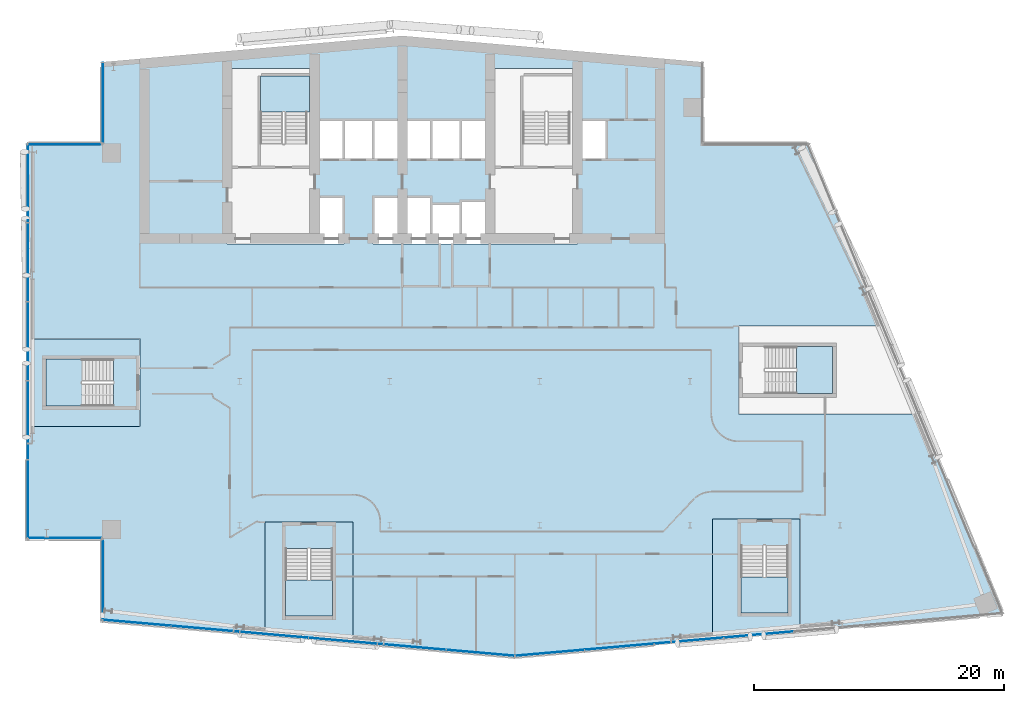
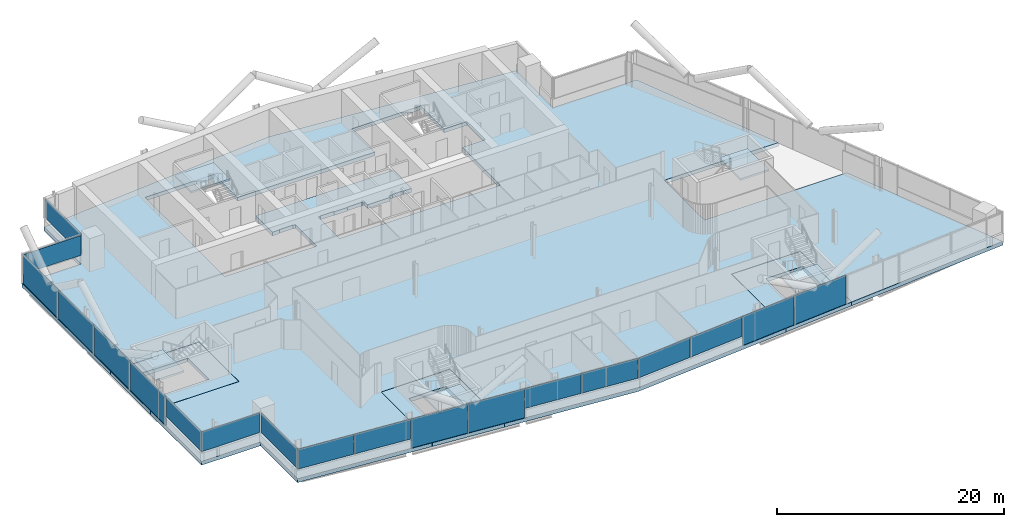
# One storey, part 12 of 27: 19 plates, 9 slabs, 12 elements without a shape of their own.
"""IFC4 building model written with IfcOpenShell, lengths in metres."""

from ifc_helpers import new_model, si_unit, direction, frame, origin, origin_2d, place, context, subcontext, project, spatial, polyline, rectangle, outline, extrude, material, layer, layer_set, type_object, element, aggregate, save


model = new_model("IFC4")

# Units and contexts
model_context = context("Model", 3, precision=1e-05, world=origin(), true_north=direction((0.0, 1.0)))
body_context = subcontext(model_context, "Body", "Model", "MODEL_VIEW")
ifc_project = project(units=[si_unit("LENGTHUNIT", "METRE"), si_unit("AREAUNIT", "SQUARE_METRE"), si_unit("VOLUMEUNIT", "CUBIC_METRE"), si_unit("PLANEANGLEUNIT", "RADIAN"), si_unit("MASSUNIT", "GRAM", prefix="KILO")], contexts=[model_context])

# Site, building, storey
site_placement = place(None, origin())
site = spatial("IfcSite", under=ifc_project, at=site_placement, CompositionType="ELEMENT")
building_placement = place(site_placement, origin())
building = spatial("IfcBuilding", under=site, at=building_placement, Name="Wharfspan Tower", CompositionType="ELEMENT")
storey_placement = place(building_placement, frame((0.0, 0.0, 159.100098)))
storey = spatial("IfcBuildingStorey", under=building, at=storey_placement, Name="L38", CompositionType="ELEMENT", Elevation=159.100098)

# Curtain wall, plates
ifc_material_1 = material(Name="Aluminium 6063-T6", Category="aluminium")
curtain_wall_type_1 = type_object("IfcCurtainWallType", Name="CURTAIN WALL FACETED FRONT", PredefinedType="NOTDEFINED", material=ifc_material_1)
curtain_wall_1_placement = place(storey_placement, origin())
curtain_wall_1 = element("IfcCurtainWall", 1, at=curtain_wall_1_placement, inside=storey, type_object=curtain_wall_type_1, Name="Curtain wall S1", PredefinedType="NOTDEFINED")
ifc_material_2 = material(Name="Glass clear low-iron double glazing", Category="glass")
ifc_layer_1 = layer(ifc_material_2, 0.040039)
ifc_layer_set_1 = layer_set([ifc_layer_1], Name="Glass clear low-iron double glazing")
plate_type_1 = type_object("IfcPlateType", Name="GLASS PANEL FACETED FRONT 40", PredefinedType="CURTAIN_PANEL", material=ifc_layer_set_1)
plate_1_placement = place(storey_placement, frame((15.770264, 3.692871, 0.999756), z_axis=(0.0, 0.0, 1.0), x_axis=(0.996198, -0.087156, 0.0)))
plate_1 = element("IfcPlate", 2, at=plate_1_placement, type_object=plate_type_1, Name="Curtain wall S1 panel 1", PredefinedType="CURTAIN_PANEL", context=body_context, shape_type="SweptSolid", body=[
    extrude(rectangle(XDim=5.430908, YDim=0.040039, at=origin_2d()), origin(), (0.0, 0.0, 1.0), 2.120117),
])
plate_2_placement = place(storey_placement, frame((21.255127, 3.213135, 0.999756), z_axis=(0.0, 0.0, 1.0), x_axis=(0.996198, -0.087156, 0.0)))
plate_2 = element("IfcPlate", 3, at=plate_2_placement, type_object=plate_type_1, Name="Curtain wall S1 panel 2", PredefinedType="CURTAIN_PANEL", context=body_context, shape_type="SweptSolid", body=[
    extrude(rectangle(XDim=5.460938, YDim=0.040039, at=origin_2d()), origin(), (0.0, 0.0, 1.0), 2.120117),
])
plate_3_placement = place(storey_placement, frame((37.755127, 1.769531, 0.999756), z_axis=(0.0, 0.0, 1.0), x_axis=(0.996198, -0.087156, 0.0)))
plate_3 = element("IfcPlate", 4, at=plate_3_placement, type_object=plate_type_1, Name="Curtain wall S1 panel 5", PredefinedType="CURTAIN_PANEL", context=body_context, shape_type="SweptSolid", body=[
    extrude(rectangle(XDim=5.460938, YDim=0.040039, at=origin_2d()), origin(), (0.0, 0.0, 1.0), 2.120117),
])
plate_4_placement = place(storey_placement, frame((43.240234, 1.289551, 0.999756), z_axis=(0.0, 0.0, 1.0), x_axis=(0.996198, -0.087156, 0.0)))
plate_4 = element("IfcPlate", 5, at=plate_4_placement, type_object=plate_type_1, Name="Curtain wall S1 panel 6", PredefinedType="CURTAIN_PANEL", context=body_context, shape_type="SweptSolid", body=[
    extrude(rectangle(XDim=5.430908, YDim=0.040039, at=origin_2d()), origin(), (0.0, 0.0, 1.0), 2.120117),
])

curtain_wall_2_placement = place(storey_placement, origin())
curtain_wall_2 = element("IfcCurtainWall", 6, at=curtain_wall_2_placement, inside=storey, type_object=curtain_wall_type_1, Name="Curtain wall S2", PredefinedType="NOTDEFINED")
plate_5_placement = place(storey_placement, frame((48.79541, 1.292725, 0.999756), z_axis=(0.0, 0.0, 1.0), x_axis=(0.996198, 0.087156, 0.0)))
plate_5 = element("IfcPlate", 7, at=plate_5_placement, type_object=plate_type_1, Name="Curtain wall S2 panel 1", PredefinedType="CURTAIN_PANEL", context=body_context, shape_type="SweptSolid", body=[
    extrude(rectangle(XDim=5.502686, YDim=0.040039, at=origin_2d()), origin(), (0.0, 0.0, 1.0), 2.120117),
])
plate_6_placement = place(storey_placement, frame((54.351807, 1.778809, 0.999756), z_axis=(0.0, 0.0, 1.0), x_axis=(0.996198, 0.087156, 0.0)))
plate_6 = element("IfcPlate", 8, at=plate_6_placement, type_object=plate_type_1, Name="Curtain wall S2 panel 2", PredefinedType="CURTAIN_PANEL", context=body_context, shape_type="SweptSolid", body=[
    extrude(rectangle(XDim=5.532715, YDim=0.040039, at=origin_2d()), origin(), (0.0, 0.0, 1.0), 2.120117),
])

# Curtain wall, plate
curtain_wall_type_2 = type_object("IfcCurtainWallType", Name="CURTAIN WALL PROW AND END", PredefinedType="NOTDEFINED", material=ifc_material_1)
curtain_wall_3_placement = place(storey_placement, origin())
curtain_wall_3 = element("IfcCurtainWall", 9, at=curtain_wall_3_placement, inside=storey, type_object=curtain_wall_type_2, Name="Curtain wall NRW-V", PredefinedType="NOTDEFINED")
ifc_layer_2 = layer(ifc_material_2, 0.040039)
ifc_layer_set_2 = layer_set([ifc_layer_2], Name="Glass clear low-iron double glazing")
plate_type_2 = type_object("IfcPlateType", Name="GLASS PANEL PROW AND END 40", PredefinedType="CURTAIN_PANEL", material=ifc_layer_set_2)
plate_7_placement = place(storey_placement, frame((13.080078, 45.262451, 0.999756), z_axis=(0.0, 0.0, 1.0), x_axis=(0.0, -1.0, 0.0)))
plate_7 = element("IfcPlate", 10, at=plate_7_placement, type_object=plate_type_2, Name="Curtain wall NRW-V panel 1", PredefinedType="CURTAIN_PANEL", context=body_context, shape_type="SweptSolid", body=[
    extrude(rectangle(XDim=6.405029, YDim=0.040039, at=origin_2d()), origin(), (0.0, 0.0, 1.0), 2.120117),
])
aggregate(curtain_wall_3, [plate_7])

curtain_wall_4_placement = place(storey_placement, origin())
curtain_wall_4 = element("IfcCurtainWall", 11, at=curtain_wall_4_placement, inside=storey, type_object=curtain_wall_type_2, Name="Curtain wall NRW-H", PredefinedType="NOTDEFINED")
plate_8_placement = place(storey_placement, frame((10.0, 41.919922, 0.999756), z_axis=(0.0, 0.0, 1.0), x_axis=(-1.0, 0.0, 0.0)))
plate_8 = element("IfcPlate", 12, at=plate_8_placement, type_object=plate_type_2, Name="Curtain wall NRW-H panel 1", PredefinedType="CURTAIN_PANEL", context=body_context, shape_type="SweptSolid", body=[
    extrude(rectangle(XDim=5.879883, YDim=0.040039, at=origin_2d()), origin(), (0.0, 0.0, 1.0), 2.120117),
])
aggregate(curtain_wall_4, [plate_8])

curtain_wall_5_placement = place(storey_placement, origin())
curtain_wall_5 = element("IfcCurtainWall", 13, at=curtain_wall_5_placement, inside=storey, type_object=curtain_wall_type_2, Name="Curtain wall W", PredefinedType="NOTDEFINED")
plate_9_placement = place(storey_placement, frame((7.080078, 13.574951, 0.999756), z_axis=(0.0, 0.0, 1.0), x_axis=(0.0, -1.0, 0.0)))
plate_9 = element("IfcPlate", 14, at=plate_9_placement, type_object=plate_type_2, Name="Curtain wall W panel 5", PredefinedType="CURTAIN_PANEL", context=body_context, shape_type="SweptSolid", body=[
    extrude(rectangle(XDim=6.22998, YDim=0.040039, at=origin_2d()), origin(), (0.0, 0.0, 1.0), 2.120117),
])

curtain_wall_6_placement = place(storey_placement, origin())
curtain_wall_6 = element("IfcCurtainWall", 15, at=curtain_wall_6_placement, inside=storey, type_object=curtain_wall_type_2, Name="Curtain wall NFW-H", PredefinedType="NOTDEFINED")
plate_10_placement = place(storey_placement, frame((10.0, 10.47998, 0.999756), z_axis=(0.0, 0.0, 1.0), x_axis=(1.0, 0.0, 0.0)))
plate_10 = element("IfcPlate", 16, at=plate_10_placement, type_object=plate_type_2, Name="Curtain wall NFW-H panel 1", PredefinedType="CURTAIN_PANEL", context=body_context, shape_type="SweptSolid", body=[
    extrude(rectangle(XDim=5.879883, YDim=0.040039, at=origin_2d()), origin(), (0.0, 0.0, 1.0), 2.120117),
])
aggregate(curtain_wall_6, [plate_10])

curtain_wall_7_placement = place(storey_placement, origin())
curtain_wall_7 = element("IfcCurtainWall", 17, at=curtain_wall_7_placement, inside=storey, type_object=curtain_wall_type_2, Name="Curtain wall NFW-V", PredefinedType="NOTDEFINED")
plate_11_placement = place(storey_placement, frame((13.080078, 7.137451, 0.999756), z_axis=(0.0, 0.0, 1.0), x_axis=(0.0, -1.0, 0.0)))
plate_11 = element("IfcPlate", 18, at=plate_11_placement, type_object=plate_type_2, Name="Curtain wall NFW-V panel 1", PredefinedType="CURTAIN_PANEL", context=body_context, shape_type="SweptSolid", body=[
    extrude(rectangle(XDim=6.405029, YDim=0.040039, at=origin_2d()), origin(), (0.0, 0.0, 1.0), 2.120117),
])
aggregate(curtain_wall_7, [plate_11])

# Plate
ifc_material_3 = material(Name="Aluminium composite opaque insulated panel", Category="aluminium")
ifc_layer_3 = layer(ifc_material_3, 0.040039)
ifc_layer_set_3 = layer_set([ifc_layer_3], Name="Aluminium composite opaque insulated panel")
plate_type_3 = type_object("IfcPlateType", Name="INFILL PANEL FACETED FRONT OPAQUE 40", PredefinedType="SHEET", material=ifc_layer_set_3)
plate_12_placement = place(storey_placement, frame((26.755127, 2.731934, -0.000244), z_axis=(0.0, 0.0, 1.0), x_axis=(0.996198, -0.087156, 0.0)))
plate_12 = element("IfcPlate", 19, at=plate_12_placement, type_object=plate_type_3, Name="Curtain wall S1 panel 3", PredefinedType="SHEET", context=body_context, shape_type="SweptSolid", body=[
    extrude(rectangle(XDim=5.460938, YDim=0.040039, at=origin_2d()), origin(), (0.0, 0.0, 1.0), 3.120117),
])

plate_13_placement = place(storey_placement, frame((32.255127, 2.250732, -0.000244), z_axis=(0.0, 0.0, 1.0), x_axis=(0.996198, -0.087156, 0.0)))
plate_13 = element("IfcPlate", 20, at=plate_13_placement, type_object=plate_type_3, Name="Curtain wall S1 panel 4", PredefinedType="SHEET", context=body_context, shape_type="SweptSolid", body=[
    extrude(rectangle(XDim=5.460938, YDim=0.040039, at=origin_2d()), origin(), (0.0, 0.0, 1.0), 3.120117),
])

aggregate(curtain_wall_1, [plate_1, plate_2, plate_12, plate_13, plate_3, plate_4])

plate_14_placement = place(storey_placement, frame((59.92334, 2.266357, -0.000244), z_axis=(0.0, 0.0, 1.0), x_axis=(0.996198, 0.087156, 0.0)))
plate_14 = element("IfcPlate", 21, at=plate_14_placement, type_object=plate_type_3, Name="Curtain wall S2 panel 3", PredefinedType="SHEET", context=body_context, shape_type="SweptSolid", body=[
    extrude(rectangle(XDim=5.532715, YDim=0.040039, at=origin_2d()), origin(), (0.0, 0.0, 1.0), 3.120117),
])

plate_15_placement = place(storey_placement, frame((65.494873, 2.753662, -0.000244), z_axis=(0.0, 0.0, 1.0), x_axis=(0.996198, 0.087156, 0.0)))
plate_15 = element("IfcPlate", 22, at=plate_15_placement, type_object=plate_type_3, Name="Curtain wall S2 panel 4", PredefinedType="SHEET", context=body_context, shape_type="SweptSolid", body=[
    extrude(rectangle(XDim=5.532715, YDim=0.040039, at=origin_2d()), origin(), (0.0, 0.0, 1.0), 3.120117),
])

aggregate(curtain_wall_2, [plate_5, plate_6, plate_14, plate_15])

ifc_layer_4 = layer(ifc_material_3, 0.040039)
ifc_layer_set_4 = layer_set([ifc_layer_4], Name="Aluminium composite opaque insulated panel")
plate_type_4 = type_object("IfcPlateType", Name="INFILL PANEL PROW AND END OPAQUE 40", PredefinedType="SHEET", material=ifc_layer_set_4)
plate_16_placement = place(storey_placement, frame((7.080078, 38.824951, -0.000244), z_axis=(0.0, 0.0, 1.0), x_axis=(0.0, -1.0, 0.0)))
plate_16 = element("IfcPlate", 23, at=plate_16_placement, type_object=plate_type_4, Name="Curtain wall W panel 1", PredefinedType="SHEET", context=body_context, shape_type="SweptSolid", body=[
    extrude(rectangle(XDim=6.22998, YDim=0.040039, at=origin_2d()), origin(), (0.0, 0.0, 1.0), 3.120117),
])

plate_17_placement = place(storey_placement, frame((7.080078, 32.52002, -0.000244), z_axis=(0.0, 0.0, 1.0), x_axis=(0.0, -1.0, 0.0)))
plate_17 = element("IfcPlate", 24, at=plate_17_placement, type_object=plate_type_4, Name="Curtain wall W panel 2", PredefinedType="SHEET", context=body_context, shape_type="SweptSolid", body=[
    extrude(rectangle(XDim=6.26001, YDim=0.040039, at=origin_2d()), origin(), (0.0, 0.0, 1.0), 3.120117),
])

plate_18_placement = place(storey_placement, frame((7.080078, 26.199951, -0.000244), z_axis=(0.0, 0.0, 1.0), x_axis=(0.0, -1.0, 0.0)))
plate_18 = element("IfcPlate", 25, at=plate_18_placement, type_object=plate_type_4, Name="Curtain wall W panel 3", PredefinedType="SHEET", context=body_context, shape_type="SweptSolid", body=[
    extrude(rectangle(XDim=6.26001, YDim=0.040039, at=origin_2d()), origin(), (0.0, 0.0, 1.0), 3.120117),
])

plate_19_placement = place(storey_placement, frame((7.080078, 19.879883, -0.000244), z_axis=(0.0, 0.0, 1.0), x_axis=(0.0, -1.0, 0.0)))
plate_19 = element("IfcPlate", 26, at=plate_19_placement, type_object=plate_type_4, Name="Curtain wall W panel 4", PredefinedType="SHEET", context=body_context, shape_type="SweptSolid", body=[
    extrude(rectangle(XDim=6.26001, YDim=0.040039, at=origin_2d()), origin(), (0.0, 0.0, 1.0), 3.120117),
])

aggregate(curtain_wall_5, [plate_16, plate_17, plate_18, plate_19, plate_9])

# Slabs
ifc_material_4 = material(Name="Concrete C40/50", Category="concrete")
ifc_layer_5 = layer(ifc_material_4, 0.399902)
ifc_layer_set_5 = layer_set([ifc_layer_5], Name="Concrete C40/50")
slab_type_1 = type_object("IfcSlabType", Name="Post-tensioned flat slab 400", PredefinedType="FLOOR", material=ifc_layer_set_5)
slab_1_placement = place(storey_placement, frame((0.0, 0.0, -0.400146)))
element("IfcSlab", 27, at=slab_1_placement, inside=storey, type_object=slab_type_1, Name="Floor slab L38", PredefinedType="FLOOR", context=body_context, shape_type="SweptSolid", body=[
    extrude(outline(polyline([(26.029297, 2.735107), (26.029297, 11.744385), (33.049316, 11.744385), (33.049316, 2.121094), (46.0, 0.987793), (61.801514, 2.370361), (61.801514, 11.993652), (68.821289, 11.993652), (68.821289, 2.984619), (85.0, 4.399902), (78.398682, 20.389893), (63.894531, 20.389893), (63.894531, 27.409912), (75.500488, 27.409912), (69.477051, 42.0), (61.0, 42.0), (61.0, 48.524902), (37.0, 50.624756), (13.0, 48.524902), (13.0, 42.0), (7.0, 42.0), (7.0, 26.409912), (16.01001, 26.409912), (16.01001, 19.389893), (7.0, 19.389893), (7.0, 10.399902), (13.0, 10.399902), (13.0, 3.875), (26.029297, 2.735107)]), holes=[polyline([(32.126709, 37.76001), (32.343262, 37.76001), (32.343262, 33.98999), (22.98999, 33.98999), (22.98999, 48.01001), (30.01001, 48.01001), (30.01001, 43.909912), (43.98999, 43.909912), (43.98999, 48.01001), (51.01001, 48.01001), (51.01001, 43.909912), (53.343262, 43.909912), (53.343262, 40.689941), (51.01001, 40.689941), (51.01001, 33.98999), (34.656738, 33.98999), (34.656738, 37.76001), (34.873291, 37.76001), (34.873291, 37.810059), (36.293213, 37.810059), (36.293213, 37.76001), (37.666748, 37.76001), (37.666748, 37.810059), (39.166748, 37.810059), (39.166748, 37.76001), (39.343262, 37.76001), (39.343262, 37.209961), (41.656738, 37.209961), (41.656738, 37.459961), (42.023193, 37.459961), (42.023193, 37.51001), (43.143311, 37.51001), (43.143311, 37.459961), (43.98999, 37.459961), (43.98999, 40.689941), (30.01001, 40.689941), (30.01001, 37.76001), (30.706787, 37.76001), (30.706787, 37.810059), (32.126709, 37.810059), (32.126709, 37.76001)])]), origin(), (0.0, 0.0, 1.0), 0.400146),
])
slab_2_placement = place(storey_placement, frame((0.0, 0.0, -0.400146)))
element("IfcSlab", 28, at=slab_2_placement, inside=storey, type_object=slab_type_1, Name="Core floor slab L38 part 1", PredefinedType="FLOOR", context=body_context, shape_type="SweptSolid", body=[
    extrude(outline(polyline([(16.0, 20.725098), (16.0, 25.074951), (16.0, 26.399902), (7.0, 26.399902), (7.0, 19.399902), (16.0, 19.399902), (16.0, 20.725098)]), holes=[polyline([(13.899902, 24.7771), (13.900146, 24.7771), (13.900391, 24.7771), (13.900635, 24.776855), (13.900879, 24.776855), (13.900879, 24.776855), (13.901123, 24.776611), (13.901367, 24.776611), (13.901367, 24.776367), (13.901611, 24.776367), (13.901611, 24.776123), (13.901855, 24.775879), (13.901855, 24.775879), (13.901855, 24.775635), (13.9021, 24.775391), (13.9021, 24.775146), (13.9021, 24.774902), (13.9021, 21.024902), (13.9021, 21.024902), (13.9021, 21.024658), (13.901855, 21.024414), (13.901855, 21.02417), (13.901855, 21.02417), (13.901611, 21.023926), (13.901611, 21.023682), (13.901367, 21.023682), (13.901367, 21.023438), (13.901123, 21.023193), (13.900879, 21.023193), (13.900879, 21.023193), (13.900635, 21.023193), (13.900391, 21.022949), (13.900146, 21.022949), (13.899902, 21.022949), (8.5, 21.022949), (8.499756, 21.022949), (8.499512, 21.022949), (8.499512, 21.023193), (8.499268, 21.023193), (8.499023, 21.023193), (8.498779, 21.023193), (8.498779, 21.023438), (8.498535, 21.023682), (8.498535, 21.023682), (8.498291, 21.023926), (8.498291, 21.02417), (8.498291, 21.02417), (8.498047, 21.024414), (8.498047, 21.024658), (8.498047, 21.024902), (8.498047, 21.024902), (8.498047, 24.774902), (8.498047, 24.775146), (8.498047, 24.775391), (8.498047, 24.775635), (8.498291, 24.775879), (8.498291, 24.775879), (8.498291, 24.776123), (8.498535, 24.776367), (8.498535, 24.776367), (8.498779, 24.776611), (8.498779, 24.776611), (8.499023, 24.776855), (8.499268, 24.776855), (8.499512, 24.776855), (8.499512, 24.7771), (8.499756, 24.7771), (8.5, 24.7771), (13.899902, 24.7771)])]), origin(), (0.0, 0.0, 1.0), 0.400146),
])
slab_3_placement = place(storey_placement, frame((0.0, 0.0, -0.400146)))
element("IfcSlab", 29, at=slab_3_placement, inside=storey, type_object=slab_type_1, Name="Core floor slab L38 part 2", PredefinedType="FLOOR", context=body_context, shape_type="SweptSolid", body=[
    extrude(outline(polyline([(31.714111, 11.734375), (27.364258, 11.734375), (26.039307, 11.734375), (26.039307, 2.734375), (33.039307, 2.121826), (33.039307, 11.734375), (31.714111, 11.734375)]), holes=[polyline([(27.662109, 9.634277), (27.662109, 9.634521), (27.662354, 9.634766), (27.662354, 9.63501), (27.662354, 9.63501), (27.662598, 9.635254), (27.662598, 9.635498), (27.662598, 9.635498), (27.662842, 9.635742), (27.663086, 9.635742), (27.663086, 9.635986), (27.66333, 9.635986), (27.663574, 9.635986), (27.663574, 9.63623), (27.663818, 9.63623), (27.664062, 9.63623), (27.664307, 9.63623), (31.414307, 9.63623), (31.414307, 9.63623), (31.414551, 9.63623), (31.414795, 9.63623), (31.415039, 9.635986), (31.415283, 9.635986), (31.415283, 9.635986), (31.415527, 9.635742), (31.415527, 9.635742), (31.415771, 9.635498), (31.416016, 9.635498), (31.416016, 9.635254), (31.416016, 9.63501), (31.416016, 9.63501), (31.41626, 9.634766), (31.41626, 9.634521), (31.41626, 9.634277), (31.41626, 4.234375), (31.41626, 4.234131), (31.41626, 4.233887), (31.416016, 4.233643), (31.416016, 4.233398), (31.416016, 4.233398), (31.416016, 4.233154), (31.415771, 4.23291), (31.415527, 4.23291), (31.415527, 4.232666), (31.415283, 4.232666), (31.415283, 4.232422), (31.415039, 4.232422), (31.414795, 4.232422), (31.414551, 4.232422), (31.414307, 4.232422), (31.414307, 4.232422), (27.664307, 4.232422), (27.664062, 4.232422), (27.663818, 4.232422), (27.663574, 4.232422), (27.663574, 4.232422), (27.66333, 4.232422), (27.663086, 4.232666), (27.663086, 4.232666), (27.662842, 4.23291), (27.662598, 4.23291), (27.662598, 4.233154), (27.662598, 4.233398), (27.662354, 4.233398), (27.662354, 4.233643), (27.662354, 4.233887), (27.662109, 4.234131), (27.662109, 4.234375), (27.662109, 9.634277)])]), origin(), (0.0, 0.0, 1.0), 0.400146),
])
slab_4_placement = place(storey_placement, frame((0.0, 0.0, -0.400146)))
element("IfcSlab", 30, at=slab_4_placement, inside=storey, type_object=slab_type_1, Name="Core floor slab L38 part 4", PredefinedType="FLOOR", context=body_context, shape_type="SweptSolid", body=[
    extrude(outline(polyline([(68.811279, 11.983643), (68.136475, 11.983643), (63.786377, 11.983643), (61.811279, 11.983643), (61.811279, 2.371338), (68.811279, 2.983643), (68.811279, 11.983643)]), holes=[polyline([(64.084473, 9.883789), (64.084473, 9.883789), (64.084473, 9.884033), (64.084473, 9.884277), (64.084473, 9.884521), (64.084717, 9.884521), (64.084717, 9.884766), (64.084717, 9.88501), (64.084961, 9.88501), (64.085205, 9.885254), (64.085205, 9.885254), (64.085449, 9.885498), (64.085693, 9.885498), (64.085693, 9.885498), (64.085938, 9.885498), (64.086182, 9.885742), (64.086426, 9.885742), (67.836426, 9.885742), (67.836426, 9.885742), (67.83667, 9.885498), (67.836914, 9.885498), (67.837158, 9.885498), (67.837402, 9.885498), (67.837402, 9.885254), (67.837646, 9.885254), (67.837891, 9.88501), (67.837891, 9.88501), (67.837891, 9.884766), (67.838135, 9.884521), (67.838135, 9.884521), (67.838379, 9.884277), (67.838379, 9.884033), (67.838379, 9.883789), (67.838379, 9.883789), (67.838379, 4.483643), (67.838379, 4.483398), (67.838379, 4.483398), (67.838379, 4.483154), (67.838135, 4.48291), (67.838135, 4.482666), (67.837891, 4.482666), (67.837891, 4.482422), (67.837891, 4.482422), (67.837646, 4.482178), (67.837402, 4.481934), (67.837402, 4.481934), (67.837158, 4.481689), (67.836914, 4.481689), (67.83667, 4.481689), (67.836426, 4.481689), (67.836426, 4.481689), (64.086426, 4.481689), (64.086182, 4.481689), (64.085938, 4.481689), (64.085693, 4.481689), (64.085693, 4.481689), (64.085449, 4.481934), (64.085205, 4.481934), (64.085205, 4.482178), (64.084961, 4.482422), (64.084717, 4.482422), (64.084717, 4.482666), (64.084717, 4.482666), (64.084473, 4.48291), (64.084473, 4.483154), (64.084473, 4.483398), (64.084473, 4.483398), (64.084473, 4.483643), (64.084473, 9.883789)])]), origin(), (0.0, 0.0, 1.0), 0.400146),
])

# Stair, slab
stair_type = type_object("IfcStairType", Name="Half-turn stair 20 risers 180 mm", PredefinedType="HALF_TURN_STAIR", material=ifc_material_4)
stair_1_placement = place(storey_placement, origin())
stair_1 = element("IfcStair", 31, at=stair_1_placement, inside=storey, type_object=stair_type, Name="L38 stair ST1", PredefinedType="HALF_TURN_STAIR")
ifc_layer_6 = layer(ifc_material_4, 0.199951)
ifc_layer_set_6 = layer_set([ifc_layer_6], Name="Concrete C40/50")
slab_type_2 = type_object("IfcSlabType", Name="Stair landing 200", PredefinedType="LANDING", material=ifc_layer_set_6)
slab_5_placement = place(storey_placement, frame((0.0, 0.0, 1.599609)))
slab_5 = element("IfcSlab", 32, at=slab_5_placement, type_object=slab_type_2, Name="ST1 landing 1", PredefinedType="LANDING", context=body_context, shape_type="SweptSolid", body=[
    extrude(outline(polyline([(25.649902, 44.52002), (29.600098, 44.52002), (29.600098, 47.399902), (25.649902, 47.399902), (25.649902, 44.52002)])), origin(), (0.0, 0.0, 1.0), 0.200195),
])
aggregate(stair_1, [slab_5])

stair_2_placement = place(storey_placement, origin())
stair_2 = element("IfcStair", 33, at=stair_2_placement, inside=storey, type_object=stair_type, Name="L38 stair ST3", PredefinedType="HALF_TURN_STAIR")
slab_6_placement = place(storey_placement, frame((0.0, 0.0, 1.599609)))
slab_6 = element("IfcSlab", 34, at=slab_6_placement, type_object=slab_type_2, Name="ST3 landing 1", PredefinedType="LANDING", context=body_context, shape_type="SweptSolid", body=[
    extrude(outline(polyline([(11.379883, 24.774902), (8.5, 24.774902), (8.5, 21.024902), (11.379883, 21.024902), (11.379883, 24.774902)])), origin(), (0.0, 0.0, 1.0), 0.200195),
])
aggregate(stair_2, [slab_6])

stair_3_placement = place(storey_placement, origin())
stair_3 = element("IfcStair", 35, at=stair_3_placement, inside=storey, type_object=stair_type, Name="L38 stair ST4", PredefinedType="HALF_TURN_STAIR")
slab_7_placement = place(storey_placement, frame((0.0, 0.0, 1.599609)))
slab_7 = element("IfcSlab", 36, at=slab_7_placement, type_object=slab_type_2, Name="ST4 landing 1", PredefinedType="LANDING", context=body_context, shape_type="SweptSolid", body=[
    extrude(outline(polyline([(27.664307, 7.114258), (27.664307, 4.234375), (31.414307, 4.234375), (31.414307, 7.114258), (27.664307, 7.114258)])), origin(), (0.0, 0.0, 1.0), 0.200195),
])
aggregate(stair_3, [slab_7])

stair_4_placement = place(storey_placement, origin())
stair_4 = element("IfcStair", 37, at=stair_4_placement, inside=storey, type_object=stair_type, Name="L38 stair ST5", PredefinedType="HALF_TURN_STAIR")
slab_8_placement = place(storey_placement, frame((0.0, 0.0, 1.599609)))
slab_8 = element("IfcSlab", 38, at=slab_8_placement, type_object=slab_type_2, Name="ST5 landing 1", PredefinedType="LANDING", context=body_context, shape_type="SweptSolid", body=[
    extrude(outline(polyline([(64.086426, 7.36377), (64.086426, 4.483643), (67.836426, 4.483643), (67.836426, 7.36377), (64.086426, 7.36377)])), origin(), (0.0, 0.0, 1.0), 0.200195),
])
aggregate(stair_4, [slab_8])

stair_5_placement = place(storey_placement, origin())
stair_5 = element("IfcStair", 39, at=stair_5_placement, inside=storey, type_object=stair_type, Name="L38 stair ST6", PredefinedType="HALF_TURN_STAIR")
slab_9_placement = place(storey_placement, frame((0.0, 0.0, 1.599609)))
slab_9 = element("IfcSlab", 40, at=slab_9_placement, type_object=slab_type_2, Name="ST6 landing 1", PredefinedType="LANDING", context=body_context, shape_type="SweptSolid", body=[
    extrude(outline(polyline([(68.524658, 22.024902), (71.404541, 22.024902), (71.404541, 25.774902), (68.524658, 25.774902), (68.524658, 22.024902)])), origin(), (0.0, 0.0, 1.0), 0.200195),
])
aggregate(stair_5, [slab_9])

save(model, "model.ifc")
